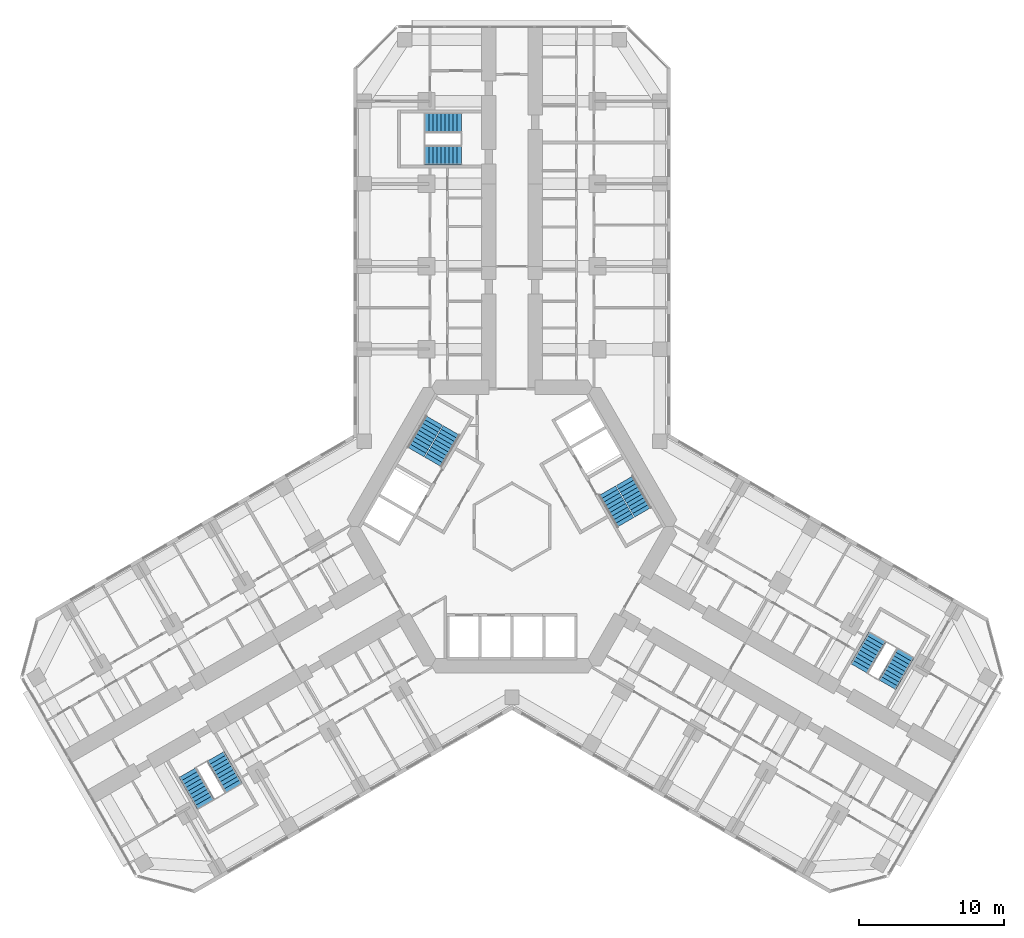
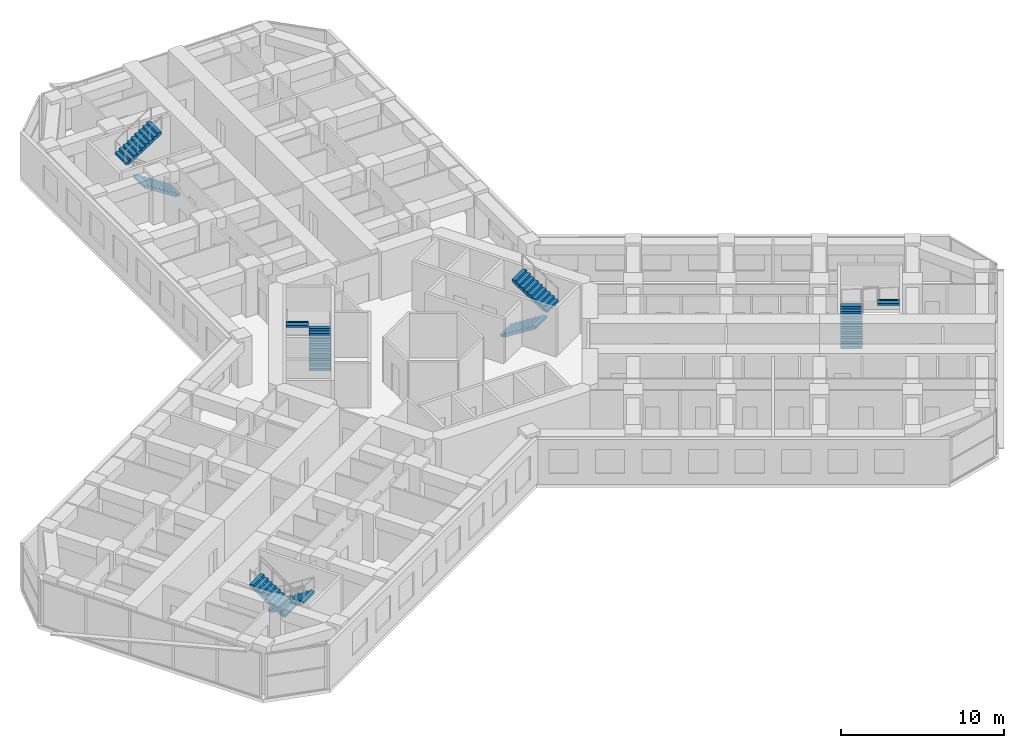
# One storey, part 20 of 21: 10 stair flights, 5 elements without a shape of their own.
"""IFC4 building model written with IfcOpenShell, lengths in metres."""

from ifc_helpers import new_model, si_unit, direction, frame, origin, place, context, subcontext, project, spatial, polyline, outline, extrude, material, type_object, element, aggregate, save


model = new_model("IFC4")

# Units and contexts
model_context = context("Model", 3, precision=1e-05, world=origin(), true_north=direction((0.0, 1.0)))
body_context = subcontext(model_context, "Body", "Model", "MODEL_VIEW")
ifc_project = project(units=[si_unit("LENGTHUNIT", "METRE"), si_unit("AREAUNIT", "SQUARE_METRE"), si_unit("VOLUMEUNIT", "CUBIC_METRE"), si_unit("PLANEANGLEUNIT", "RADIAN"), si_unit("MASSUNIT", "GRAM", prefix="KILO")], contexts=[model_context])

# Site, building, storey
site_placement = place(None, origin())
site = spatial("IfcSite", under=ifc_project, at=site_placement, CompositionType="ELEMENT")
building_placement = place(site_placement, origin())
building = spatial("IfcBuilding", under=site, at=building_placement, Name="Kosmar Iwan School Tower", CompositionType="ELEMENT")
storey_placement = place(building_placement, frame((0.0, 0.0, 53.800048828125)))
storey = spatial("IfcBuildingStorey", under=building, at=storey_placement, Name="L12", CompositionType="ELEMENT", Elevation=53.800048828125)

# Stair, stair flights
ifc_material_1 = material(Name="Concrete C35/45", Category="concrete")
stair_type_1 = type_object("IfcStairType", Name="Escape stair 3600", PredefinedType="HALF_TURN_STAIR", material=ifc_material_1)
stair_1_placement = place(storey_placement, origin())
stair_1 = element("IfcStair", 1, at=stair_1_placement, inside=storey, type_object=stair_type_1, Name="Stair WS1 L12", PredefinedType="HALF_TURN_STAIR")
ifc_material_2 = material(Name="Concrete C35/45", Category="concrete")
stair_flight_type_1 = type_object("IfcStairFlightType", Name="Escape stair flight 1350", PredefinedType="STRAIGHT", material=ifc_material_2)
stair_flight_1_placement = place(storey_placement, frame((-3.5, 25.625, 0.0), z_axis=(0.0, 0.0, 1.0), x_axis=(-1.0, 0.0, 0.0)))
stair_flight_1 = element("IfcStairFlight", 2, at=stair_flight_1_placement, type_object=stair_flight_type_1, Name="WS1 flight 1", NumberOfRisers=10, NumberOfTreads=9, PredefinedType="STRAIGHT", RiserHeight=0.18, TreadLength=0.28, context=body_context, shape_type="SweptSolid", body=[
    extrude(outline(polyline([(0.0, 0.0), (0.0, 0.179931640625), (0.280029296875, 0.179931640625), (0.280029296875, 0.360107421875), (0.56005859375, 0.360107421875), (0.56005859375, 0.5400390625), (0.840087890625, 0.5400390625), (0.840087890625, 0.719970703125), (1.1201171875, 0.719970703125), (1.1201171875, 0.89990234375), (1.39990234375, 0.89990234375), (1.39990234375, 1.080078125), (1.679931640625, 1.080078125), (1.679931640625, 1.260009765625), (1.9599609375, 1.260009765625), (1.9599609375, 1.43994140625), (2.239990234375, 1.43994140625), (2.239990234375, 1.6201171875), (2.52001953125, 1.6201171875), (2.52001953125, 1.800048828125), (2.52001953125, 1.44189453125), (0.277099609375, 0.0), (0.0, 0.0)])), frame((0.0, 0.675048828125, 0.0), z_axis=(0.0, -1.0, 0.0), x_axis=(1.0, 0.0, 0.0)), (0.0, 0.0, 1.0), 1.35009765625),
])
stair_flight_2_placement = place(storey_placement, frame((-6.02001953125, 27.875, 1.800048828125), z_axis=(0.0, 0.0, 1.0), x_axis=(1.0, 0.0, 0.0)))
stair_flight_2 = element("IfcStairFlight", 3, at=stair_flight_2_placement, type_object=stair_flight_type_1, Name="WS1 flight 2", NumberOfRisers=10, NumberOfTreads=9, PredefinedType="STRAIGHT", RiserHeight=0.18, TreadLength=0.28, context=body_context, shape_type="SweptSolid", body=[
    extrude(outline(polyline([(0.0, 0.0), (0.0, 0.179931640625), (0.280029296875, 0.179931640625), (0.280029296875, 0.360107421875), (0.56005859375, 0.360107421875), (0.56005859375, 0.5400390625), (0.840087890625, 0.5400390625), (0.840087890625, 0.719970703125), (1.1201171875, 0.719970703125), (1.1201171875, 0.89990234375), (1.39990234375, 0.89990234375), (1.39990234375, 1.080078125), (1.679931640625, 1.080078125), (1.679931640625, 1.260009765625), (1.9599609375, 1.260009765625), (1.9599609375, 1.43994140625), (2.239990234375, 1.43994140625), (2.239990234375, 1.6201171875), (2.52001953125, 1.6201171875), (2.52001953125, 1.800048828125), (2.52001953125, 1.44189453125), (0.277099609375, 0.0), (0.0, 0.0)])), frame((0.0, 0.675048828125, 0.0), z_axis=(0.0, -1.0, 0.0), x_axis=(1.0, 0.0, 0.0)), (0.0, 0.0, 1.0), 1.35009765625),
])
aggregate(stair_1, [stair_flight_1, stair_flight_2])

stair_2_placement = place(storey_placement, origin())
stair_2 = element("IfcStair", 4, at=stair_2_placement, inside=storey, type_object=stair_type_1, Name="Stair WS2 L12", PredefinedType="HALF_TURN_STAIR")
stair_flight_3_placement = place(storey_placement, frame((-20.44189453125, -15.843505859375, 0.0), z_axis=(0.0, 0.0, 1.0), x_axis=(0.5, -0.866025403784, 0.0)))
stair_flight_3 = element("IfcStairFlight", 5, at=stair_flight_3_placement, type_object=stair_flight_type_1, Name="WS2 flight 1", NumberOfRisers=10, NumberOfTreads=9, PredefinedType="STRAIGHT", RiserHeight=0.18, TreadLength=0.28, context=body_context, shape_type="SweptSolid", body=[
    extrude(outline(polyline([(0.0, 0.0), (0.0, 0.179931640625), (0.280029296875, 0.179931640625), (0.280029296875, 0.360107421875), (0.56005859375, 0.360107421875), (0.56005859375, 0.5400390625), (0.840087890625, 0.5400390625), (0.840087890625, 0.719970703125), (1.1201171875, 0.719970703125), (1.1201171875, 0.89990234375), (1.39990234375, 0.89990234375), (1.39990234375, 1.080078125), (1.679931640625, 1.080078125), (1.679931640625, 1.260009765625), (1.9599609375, 1.260009765625), (1.9599609375, 1.43994140625), (2.239990234375, 1.43994140625), (2.239990234375, 1.6201171875), (2.52001953125, 1.6201171875), (2.52001953125, 1.800048828125), (2.52001953125, 1.44189453125), (0.277099609375, 0.0), (0.0, 0.0)])), frame((0.0, 0.675048828125, 0.0), z_axis=(0.0, -1.0, 0.0), x_axis=(1.0, 0.0, 0.0)), (0.0, 0.0, 1.0), 1.35009765625),
])
stair_flight_4_placement = place(storey_placement, frame((-21.13037109375, -19.15087890625, 1.800048828125), z_axis=(0.0, 0.0, 1.0), x_axis=(-0.5, 0.866025403784, 0.0)))
stair_flight_4 = element("IfcStairFlight", 6, at=stair_flight_4_placement, type_object=stair_flight_type_1, Name="WS2 flight 2", NumberOfRisers=10, NumberOfTreads=9, PredefinedType="STRAIGHT", RiserHeight=0.18, TreadLength=0.28, context=body_context, shape_type="SweptSolid", body=[
    extrude(outline(polyline([(0.0, 0.0), (0.0, 0.179931640625), (0.280029296875, 0.179931640625), (0.280029296875, 0.360107421875), (0.56005859375, 0.360107421875), (0.56005859375, 0.5400390625), (0.840087890625, 0.5400390625), (0.840087890625, 0.719970703125), (1.1201171875, 0.719970703125), (1.1201171875, 0.89990234375), (1.39990234375, 0.89990234375), (1.39990234375, 1.080078125), (1.679931640625, 1.080078125), (1.679931640625, 1.260009765625), (1.9599609375, 1.260009765625), (1.9599609375, 1.43994140625), (2.239990234375, 1.43994140625), (2.239990234375, 1.6201171875), (2.52001953125, 1.6201171875), (2.52001953125, 1.800048828125), (2.52001953125, 1.44189453125), (0.277099609375, 0.0), (0.0, 0.0)])), frame((0.0, 0.675048828125, 0.0), z_axis=(0.0, -1.0, 0.0), x_axis=(1.0, 0.0, 0.0)), (0.0, 0.0, 1.0), 1.35009765625),
])
aggregate(stair_2, [stair_flight_3, stair_flight_4])

stair_3_placement = place(storey_placement, origin())
stair_3 = element("IfcStair", 7, at=stair_3_placement, inside=storey, type_object=stair_type_1, Name="Stair WS3 L12", PredefinedType="HALF_TURN_STAIR")
stair_flight_5_placement = place(storey_placement, frame((23.94189453125, -9.781494140625, 0.0), z_axis=(0.0, 0.0, 1.0), x_axis=(0.5, 0.866025403784, 0.0)))
stair_flight_5 = element("IfcStairFlight", 8, at=stair_flight_5_placement, type_object=stair_flight_type_1, Name="WS3 flight 1", NumberOfRisers=10, NumberOfTreads=9, PredefinedType="STRAIGHT", RiserHeight=0.18, TreadLength=0.28, context=body_context, shape_type="SweptSolid", body=[
    extrude(outline(polyline([(0.0, 0.0), (0.0, 0.179931640625), (0.280029296875, 0.179931640625), (0.280029296875, 0.360107421875), (0.56005859375, 0.360107421875), (0.56005859375, 0.5400390625), (0.840087890625, 0.5400390625), (0.840087890625, 0.719970703125), (1.1201171875, 0.719970703125), (1.1201171875, 0.89990234375), (1.39990234375, 0.89990234375), (1.39990234375, 1.080078125), (1.679931640625, 1.080078125), (1.679931640625, 1.260009765625), (1.9599609375, 1.260009765625), (1.9599609375, 1.43994140625), (2.239990234375, 1.43994140625), (2.239990234375, 1.6201171875), (2.52001953125, 1.6201171875), (2.52001953125, 1.800048828125), (2.52001953125, 1.44189453125), (0.277099609375, 0.0), (0.0, 0.0)])), frame((0.0, 0.675048828125, 0.0), z_axis=(0.0, -1.0, 0.0), x_axis=(1.0, 0.0, 0.0)), (0.0, 0.0, 1.0), 1.35009765625),
])
stair_flight_6_placement = place(storey_placement, frame((27.150390625, -8.72412109375, 1.800048828125), z_axis=(0.0, 0.0, 1.0), x_axis=(-0.5, -0.866025403784, 0.0)))
stair_flight_6 = element("IfcStairFlight", 9, at=stair_flight_6_placement, type_object=stair_flight_type_1, Name="WS3 flight 2", NumberOfRisers=10, NumberOfTreads=9, PredefinedType="STRAIGHT", RiserHeight=0.18, TreadLength=0.28, context=body_context, shape_type="SweptSolid", body=[
    extrude(outline(polyline([(0.0, 0.0), (0.0, 0.179931640625), (0.280029296875, 0.179931640625), (0.280029296875, 0.360107421875), (0.56005859375, 0.360107421875), (0.56005859375, 0.5400390625), (0.840087890625, 0.5400390625), (0.840087890625, 0.719970703125), (1.1201171875, 0.719970703125), (1.1201171875, 0.89990234375), (1.39990234375, 0.89990234375), (1.39990234375, 1.080078125), (1.679931640625, 1.080078125), (1.679931640625, 1.260009765625), (1.9599609375, 1.260009765625), (1.9599609375, 1.43994140625), (2.239990234375, 1.43994140625), (2.239990234375, 1.6201171875), (2.52001953125, 1.6201171875), (2.52001953125, 1.800048828125), (2.52001953125, 1.44189453125), (0.277099609375, 0.0), (0.0, 0.0)])), frame((0.0, 0.675048828125, 0.0), z_axis=(0.0, -1.0, 0.0), x_axis=(1.0, 0.0, 0.0)), (0.0, 0.0, 1.0), 1.35009765625),
])
aggregate(stair_3, [stair_flight_5, stair_flight_6])

ifc_material_3 = material(Name="Concrete C35/45", Category="concrete")
stair_type_2 = type_object("IfcStairType", Name="Core stair 2750", PredefinedType="HALF_TURN_STAIR", material=ifc_material_3)
stair_4_placement = place(storey_placement, origin())
stair_4 = element("IfcStair", 10, at=stair_4_placement, inside=storey, type_object=stair_type_2, Name="Stair ST2 L12", PredefinedType="HALF_TURN_STAIR")
ifc_material_4 = material(Name="Concrete C35/45", Category="concrete")
stair_flight_type_2 = type_object("IfcStairFlightType", Name="Stair flight 1350", PredefinedType="STRAIGHT", material=ifc_material_4)
stair_flight_7_placement = place(storey_placement, frame((-5.42724609375, 4.44970703125, 0.0), z_axis=(0.0, 0.0, 1.0), x_axis=(0.5, 0.866025403784, 0.0)))
stair_flight_7 = element("IfcStairFlight", 11, at=stair_flight_7_placement, type_object=stair_flight_type_2, Name="ST2 flight 1", NumberOfRisers=10, NumberOfTreads=9, PredefinedType="STRAIGHT", RiserHeight=0.18, TreadLength=0.28, context=body_context, shape_type="SweptSolid", body=[
    extrude(outline(polyline([(0.0, 0.0), (0.0, 0.179931640625), (0.280029296875, 0.179931640625), (0.280029296875, 0.360107421875), (0.56005859375, 0.360107421875), (0.56005859375, 0.5400390625), (0.840087890625, 0.5400390625), (0.840087890625, 0.719970703125), (1.1201171875, 0.719970703125), (1.1201171875, 0.89990234375), (1.39990234375, 0.89990234375), (1.39990234375, 1.080078125), (1.679931640625, 1.080078125), (1.679931640625, 1.260009765625), (1.9599609375, 1.260009765625), (1.9599609375, 1.43994140625), (2.239990234375, 1.43994140625), (2.239990234375, 1.6201171875), (2.52001953125, 1.6201171875), (2.52001953125, 1.800048828125), (2.52001953125, 1.44189453125), (0.277099609375, 0.0), (0.0, 0.0)])), frame((0.0, 0.675048828125, 0.0), z_axis=(0.0, -1.0, 0.0), x_axis=(1.0, 0.0, 0.0)), (0.0, 0.0, 1.0), 1.35009765625),
])
stair_flight_8_placement = place(storey_placement, frame((-5.379638671875, 7.33203125, 1.800048828125), z_axis=(0.0, 0.0, 1.0), x_axis=(-0.5, -0.866025403784, 0.0)))
stair_flight_8 = element("IfcStairFlight", 12, at=stair_flight_8_placement, type_object=stair_flight_type_2, Name="ST2 flight 2", NumberOfRisers=10, NumberOfTreads=9, PredefinedType="STRAIGHT", RiserHeight=0.18, TreadLength=0.28, context=body_context, shape_type="SweptSolid", body=[
    extrude(outline(polyline([(0.0, 0.0), (0.0, 0.179931640625), (0.280029296875, 0.179931640625), (0.280029296875, 0.360107421875), (0.56005859375, 0.360107421875), (0.56005859375, 0.5400390625), (0.840087890625, 0.5400390625), (0.840087890625, 0.719970703125), (1.1201171875, 0.719970703125), (1.1201171875, 0.89990234375), (1.39990234375, 0.89990234375), (1.39990234375, 1.080078125), (1.679931640625, 1.080078125), (1.679931640625, 1.260009765625), (1.9599609375, 1.260009765625), (1.9599609375, 1.43994140625), (2.239990234375, 1.43994140625), (2.239990234375, 1.6201171875), (2.52001953125, 1.6201171875), (2.52001953125, 1.800048828125), (2.52001953125, 1.44189453125), (0.277099609375, 0.0), (0.0, 0.0)])), frame((0.0, 0.675048828125, 0.0), z_axis=(0.0, -1.0, 0.0), x_axis=(1.0, 0.0, 0.0)), (0.0, 0.0, 1.0), 1.35009765625),
])
aggregate(stair_4, [stair_flight_7, stair_flight_8])

stair_5_placement = place(storey_placement, origin())
stair_5 = element("IfcStair", 13, at=stair_5_placement, inside=storey, type_object=stair_type_2, Name="Stair ST1 L12", PredefinedType="HALF_TURN_STAIR")
stair_flight_9_placement = place(storey_placement, frame((6.567138671875, 2.475341796875, 0.0), z_axis=(0.0, 0.0, 1.0), x_axis=(0.5, -0.866025403784, 0.0)))
stair_flight_9 = element("IfcStairFlight", 14, at=stair_flight_9_placement, type_object=stair_flight_type_2, Name="ST1 flight 1", NumberOfRisers=10, NumberOfTreads=9, PredefinedType="STRAIGHT", RiserHeight=0.18, TreadLength=0.28, context=body_context, shape_type="SweptSolid", body=[
    extrude(outline(polyline([(0.0, 0.0), (0.0, 0.179931640625), (0.280029296875, 0.179931640625), (0.280029296875, 0.360107421875), (0.56005859375, 0.360107421875), (0.56005859375, 0.5400390625), (0.840087890625, 0.5400390625), (0.840087890625, 0.719970703125), (1.1201171875, 0.719970703125), (1.1201171875, 0.89990234375), (1.39990234375, 0.89990234375), (1.39990234375, 1.080078125), (1.679931640625, 1.080078125), (1.679931640625, 1.260009765625), (1.9599609375, 1.260009765625), (1.9599609375, 1.43994140625), (2.239990234375, 1.43994140625), (2.239990234375, 1.6201171875), (2.52001953125, 1.6201171875), (2.52001953125, 1.800048828125), (2.52001953125, 1.44189453125), (0.277099609375, 0.0), (0.0, 0.0)])), frame((0.0, 0.675048828125, 0.0), z_axis=(0.0, -1.0, 0.0), x_axis=(1.0, 0.0, 0.0)), (0.0, 0.0, 1.0), 1.35009765625),
])
stair_flight_10_placement = place(storey_placement, frame((9.03955078125, 0.992919921875, 1.800048828125), z_axis=(0.0, 0.0, 1.0), x_axis=(-0.5, 0.866025403784, 0.0)))
stair_flight_10 = element("IfcStairFlight", 15, at=stair_flight_10_placement, type_object=stair_flight_type_2, Name="ST1 flight 2", NumberOfRisers=10, NumberOfTreads=9, PredefinedType="STRAIGHT", RiserHeight=0.18, TreadLength=0.28, context=body_context, shape_type="SweptSolid", body=[
    extrude(outline(polyline([(0.0, 0.0), (0.0, 0.179931640625), (0.280029296875, 0.179931640625), (0.280029296875, 0.360107421875), (0.56005859375, 0.360107421875), (0.56005859375, 0.5400390625), (0.840087890625, 0.5400390625), (0.840087890625, 0.719970703125), (1.1201171875, 0.719970703125), (1.1201171875, 0.89990234375), (1.39990234375, 0.89990234375), (1.39990234375, 1.080078125), (1.679931640625, 1.080078125), (1.679931640625, 1.260009765625), (1.9599609375, 1.260009765625), (1.9599609375, 1.43994140625), (2.239990234375, 1.43994140625), (2.239990234375, 1.6201171875), (2.52001953125, 1.6201171875), (2.52001953125, 1.800048828125), (2.52001953125, 1.44189453125), (0.277099609375, 0.0), (0.0, 0.0)])), frame((0.0, 0.675048828125, 0.0), z_axis=(0.0, -1.0, 0.0), x_axis=(1.0, 0.0, 0.0)), (0.0, 0.0, 1.0), 1.35009765625),
])
aggregate(stair_5, [stair_flight_9, stair_flight_10])

save(model, "model.ifc")
